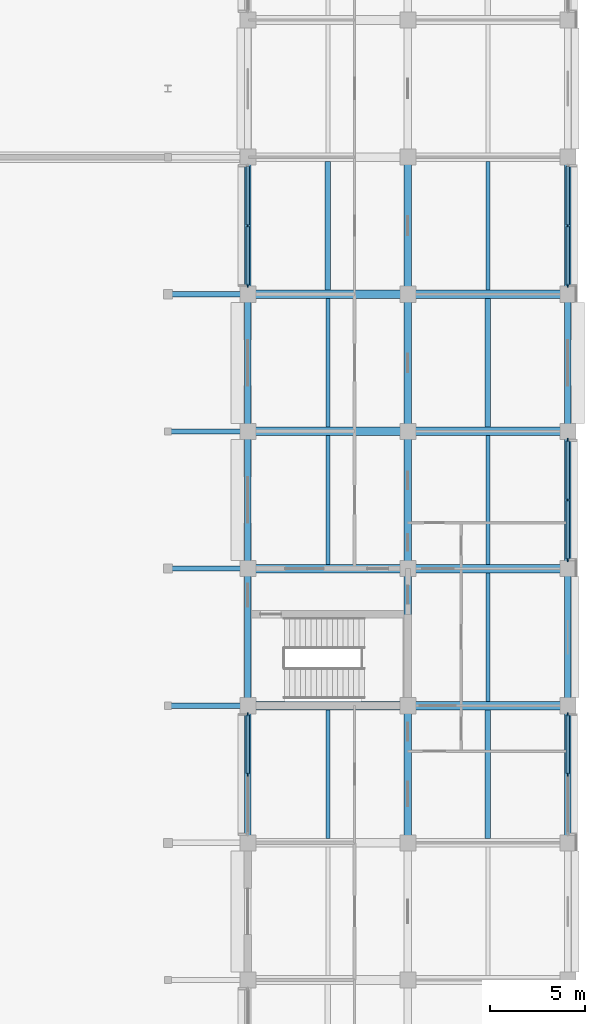
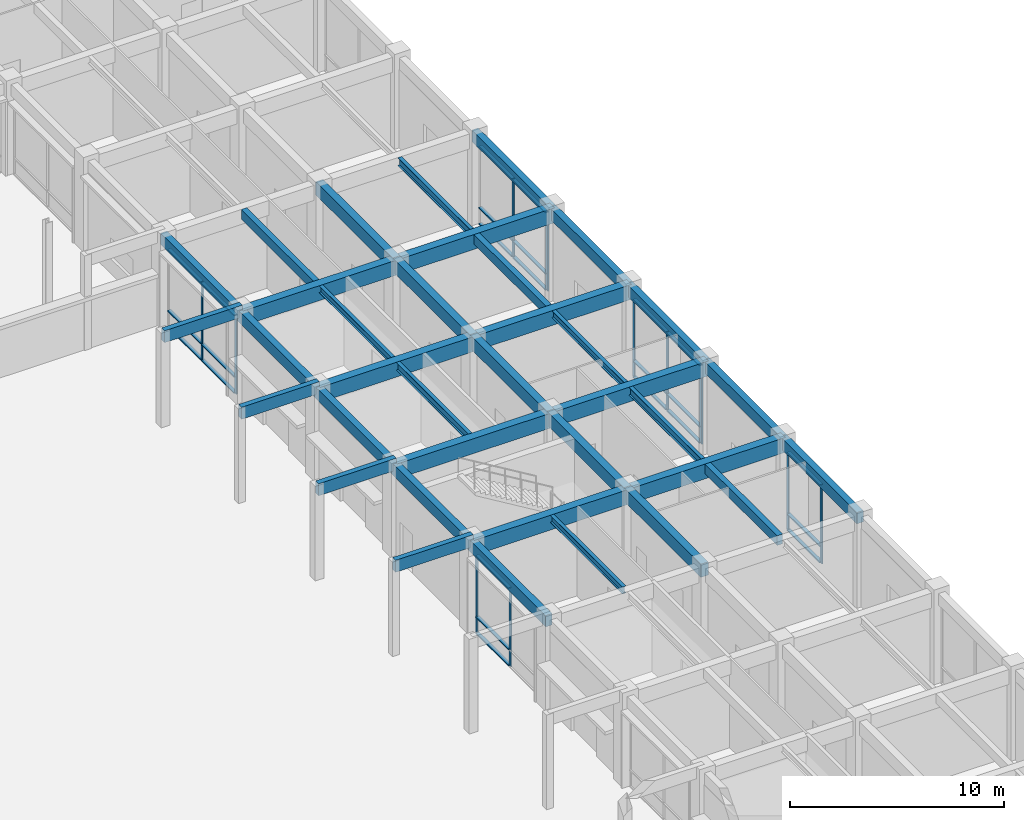
# One storey, part 26 of 73: 36 beams, 35 members, 5 elements without a shape of their own.
"""IFC4 building model written with IfcOpenShell, lengths in metres."""

from ifc_helpers import new_model, si_unit, direction, frame, origin, origin_2d, place, context, subcontext, project, spatial, rectangle, i_section, extrude, material, layer, layer_set, material_profile, profile_set, type_object, element, aggregate, save


model = new_model("IFC4")

# Units and contexts
model_context = context("Model", 3, precision=1e-05, world=origin(), true_north=direction((0.0, 1.0)))
body_context = subcontext(model_context, "Body", "Model", "MODEL_VIEW")
ifc_project = project(units=[si_unit("LENGTHUNIT", "METRE"), si_unit("AREAUNIT", "SQUARE_METRE"), si_unit("VOLUMEUNIT", "CUBIC_METRE"), si_unit("PLANEANGLEUNIT", "RADIAN"), si_unit("MASSUNIT", "GRAM", prefix="KILO")], contexts=[model_context])

# Site, building, storey
site_placement = place(None, origin())
site = spatial("IfcSite", under=ifc_project, at=site_placement, CompositionType="ELEMENT")
building_placement = place(site_placement, origin())
building = spatial("IfcBuilding", under=site, at=building_placement, Name="Chengyuan Square Courthouse", CompositionType="ELEMENT")
storey_placement = place(building_placement, origin())
storey = spatial("IfcBuildingStorey", under=building, at=storey_placement, Name="L01", CompositionType="ELEMENT", Elevation=0.0)

# Beams
ifc_material_1 = material(Name="Concrete C40", Category="concrete")
ifc_material_profile_1 = material_profile(ifc_material_1, rectangle(XDim=0.449951171875, YDim=0.85009765625, at=origin_2d()), Name="RC-BM-450x850")
ifc_profile_set_1 = profile_set([ifc_material_profile_1], Name="Concrete C40")
beam_type_1 = type_object("IfcBeamType", Name="BM-01", PredefinedType="USERDEFINED", material=ifc_profile_set_1)
beam_1_placement = place(storey_placement, frame((151.199951171875, 36.0, 4.695068359375), z_axis=(1.0, 0.0, 0.0), x_axis=(0.0, 1.0, 0.0)))
element("IfcBeam", 1, at=beam_1_placement, inside=storey, type_object=beam_type_1, Name="Girder BM-L01-1663", ObjectType="GIRDER", PredefinedType="USERDEFINED", context=body_context, shape_type="SweptSolid", body=[
    extrude(rectangle(XDim=0.449951171875, YDim=0.85009765625, at=origin_2d()), origin(), (0.0, 0.0, 1.0), 8.400146484375),
])
beam_2_placement = place(storey_placement, frame((159.60009765625, 36.0, 4.695068359375), z_axis=(1.0, 0.0, 0.0), x_axis=(0.0, 1.0, 0.0)))
element("IfcBeam", 2, at=beam_2_placement, inside=storey, type_object=beam_type_1, Name="Girder BM-L01-1664", ObjectType="GIRDER", PredefinedType="USERDEFINED", context=body_context, shape_type="SweptSolid", body=[
    extrude(rectangle(XDim=0.449951171875, YDim=0.85009765625, at=origin_2d()), origin(), (0.0, 0.0, 1.0), 8.39990234375),
])
beam_3_placement = place(storey_placement, frame((151.199951171875, 43.199951171875, 4.695068359375), z_axis=(1.0, 0.0, 0.0), x_axis=(0.0, 1.0, 0.0)))
element("IfcBeam", 3, at=beam_3_placement, inside=storey, type_object=beam_type_1, Name="Girder BM-L01-1667", ObjectType="GIRDER", PredefinedType="USERDEFINED", context=body_context, shape_type="SweptSolid", body=[
    extrude(rectangle(XDim=0.449951171875, YDim=0.85009765625, at=origin_2d()), origin(), (0.0, 0.0, 1.0), 8.400146484375),
])
beam_4_placement = place(storey_placement, frame((159.60009765625, 43.199951171875, 4.695068359375), z_axis=(1.0, 0.0, 0.0), x_axis=(0.0, 1.0, 0.0)))
element("IfcBeam", 4, at=beam_4_placement, inside=storey, type_object=beam_type_1, Name="Girder BM-L01-1668", ObjectType="GIRDER", PredefinedType="USERDEFINED", context=body_context, shape_type="SweptSolid", body=[
    extrude(rectangle(XDim=0.449951171875, YDim=0.85009765625, at=origin_2d()), origin(), (0.0, 0.0, 1.0), 8.39990234375),
])
beam_5_placement = place(storey_placement, frame((151.199951171875, 50.39990234375, 4.695068359375), z_axis=(1.0, 0.0, 0.0), x_axis=(0.0, 1.0, 0.0)))
element("IfcBeam", 5, at=beam_5_placement, inside=storey, type_object=beam_type_1, Name="Girder BM-L01-1671", ObjectType="GIRDER", PredefinedType="USERDEFINED", context=body_context, shape_type="SweptSolid", body=[
    extrude(rectangle(XDim=0.449951171875, YDim=0.85009765625, at=origin_2d()), origin(), (0.0, 0.0, 1.0), 8.400146484375),
])
beam_6_placement = place(storey_placement, frame((159.60009765625, 50.39990234375, 4.695068359375), z_axis=(1.0, 0.0, 0.0), x_axis=(0.0, 1.0, 0.0)))
element("IfcBeam", 6, at=beam_6_placement, inside=storey, type_object=beam_type_1, Name="Girder BM-L01-1672", ObjectType="GIRDER", PredefinedType="USERDEFINED", context=body_context, shape_type="SweptSolid", body=[
    extrude(rectangle(XDim=0.449951171875, YDim=0.85009765625, at=origin_2d()), origin(), (0.0, 0.0, 1.0), 8.39990234375),
])
beam_7_placement = place(storey_placement, frame((151.199951171875, 57.60009765625, 4.695068359375), z_axis=(1.0, 0.0, 0.0), x_axis=(0.0, 1.0, 0.0)))
element("IfcBeam", 7, at=beam_7_placement, inside=storey, type_object=beam_type_1, Name="Girder BM-L01-1675", ObjectType="GIRDER", PredefinedType="USERDEFINED", context=body_context, shape_type="SweptSolid", body=[
    extrude(rectangle(XDim=0.449951171875, YDim=0.85009765625, at=origin_2d()), origin(), (0.0, 0.0, 1.0), 8.400146484375),
])
beam_8_placement = place(storey_placement, frame((159.60009765625, 57.60009765625, 4.695068359375), z_axis=(1.0, 0.0, 0.0), x_axis=(0.0, 1.0, 0.0)))
element("IfcBeam", 8, at=beam_8_placement, inside=storey, type_object=beam_type_1, Name="Girder BM-L01-1676", ObjectType="GIRDER", PredefinedType="USERDEFINED", context=body_context, shape_type="SweptSolid", body=[
    extrude(rectangle(XDim=0.449951171875, YDim=0.85009765625, at=origin_2d()), origin(), (0.0, 0.0, 1.0), 8.39990234375),
])
ifc_material_profile_2 = material_profile(ifc_material_1, rectangle(XDim=0.39990234375, YDim=0.75, at=origin_2d()), Name="RC-BM-400x750")
ifc_profile_set_2 = profile_set([ifc_material_profile_2], Name="Concrete C40")
beam_type_2 = type_object("IfcBeamType", Name="BM-02", PredefinedType="USERDEFINED", material=ifc_profile_set_2)
for number, where, z_axis, x_axis, name in (
    (9, (159.60009765625, 28.800048828125, 4.7451171875), (0.0, 1.0, 0.0), (-1.0, 0.0, 0.0), "Girder BM-L01-1931"),
    (10, (159.60009765625, 36.0, 4.7451171875), (0.0, 1.0, 0.0), (-1.0, 0.0, 0.0), "Girder BM-L01-1932"),
    (11, (159.60009765625, 43.199951171875, 4.7451171875), (0.0, 1.0, 0.0), (-1.0, 0.0, 0.0), "Girder BM-L01-1933"),
):
    element("IfcBeam", number, at=place(storey_placement, frame(where, z_axis=z_axis, x_axis=x_axis)), inside=storey, type_object=beam_type_2, Name=name, ObjectType="GIRDER", PredefinedType="USERDEFINED", context=body_context, shape_type="SweptSolid", body=[
        extrude(rectangle(XDim=0.39990234375, YDim=0.75, at=origin_2d()), origin(), (0.0, 0.0, 1.0), 7.199951171875),
    ])
beam_9_placement = place(storey_placement, frame((159.60009765625, 50.39990234375, 4.7451171875), z_axis=(0.0, 1.0, 0.0), x_axis=(-1.0, 0.0, 0.0)))
element("IfcBeam", 12, at=beam_9_placement, inside=storey, type_object=beam_type_2, Name="Girder BM-L01-1934", ObjectType="GIRDER", PredefinedType="USERDEFINED", context=body_context, shape_type="SweptSolid", body=[
    extrude(rectangle(XDim=0.39990234375, YDim=0.75, at=origin_2d()), origin(), (0.0, 0.0, 1.0), 7.2001953125),
])
beam_10_placement = place(storey_placement, frame((159.60009765625, 57.60009765625, 4.7451171875), z_axis=(0.0, 1.0, 0.0), x_axis=(-1.0, 0.0, 0.0)))
element("IfcBeam", 13, at=beam_10_placement, inside=storey, type_object=beam_type_2, Name="Girder BM-L01-1935", ObjectType="GIRDER", PredefinedType="USERDEFINED", context=body_context, shape_type="SweptSolid", body=[
    extrude(rectangle(XDim=0.39990234375, YDim=0.75, at=origin_2d()), origin(), (0.0, 0.0, 1.0), 7.199951171875),
])
ifc_material_profile_3 = material_profile(ifc_material_1, rectangle(XDim=0.35009765625, YDim=0.64990234375, at=origin_2d()), Name="RC-BM-350x650")
ifc_profile_set_3 = profile_set([ifc_material_profile_3], Name="Concrete C40")
beam_type_3 = type_object("IfcBeamType", Name="BM-03", PredefinedType="SPANDREL", material=ifc_profile_set_3)
for number, where, z_axis, x_axis, name in (
    (14, (151.199951171875, 28.800048828125, 4.794921875), (0.0, 1.0, 0.0), (-1.0, 0.0, 0.0), "Girder BM-L01-1916"),
    (15, (151.199951171875, 36.0, 4.794921875), (0.0, 1.0, 0.0), (-1.0, 0.0, 0.0), "Girder BM-L01-1917"),
    (16, (151.199951171875, 43.199951171875, 4.794921875), (0.0, 1.0, 0.0), (-1.0, 0.0, 0.0), "Girder BM-L01-1918"),
):
    element("IfcBeam", number, at=place(storey_placement, frame(where, z_axis=z_axis, x_axis=x_axis)), inside=storey, type_object=beam_type_3, Name=name, PredefinedType="SPANDREL", context=body_context, shape_type="SweptSolid", body=[
        extrude(rectangle(XDim=0.35009765625, YDim=0.64990234375, at=origin_2d()), origin(), (0.0, 0.0, 1.0), 7.199951171875),
    ])
beam_11_placement = place(storey_placement, frame((151.199951171875, 50.39990234375, 4.794921875), z_axis=(0.0, 1.0, 0.0), x_axis=(-1.0, 0.0, 0.0)))
element("IfcBeam", 17, at=beam_11_placement, inside=storey, type_object=beam_type_3, Name="Girder BM-L01-1919", PredefinedType="SPANDREL", context=body_context, shape_type="SweptSolid", body=[
    extrude(rectangle(XDim=0.35009765625, YDim=0.64990234375, at=origin_2d()), origin(), (0.0, 0.0, 1.0), 7.2001953125),
])
for number, where, z_axis, x_axis, name in (
    (18, (151.199951171875, 57.60009765625, 4.794921875), (0.0, 1.0, 0.0), (-1.0, 0.0, 0.0), "Girder BM-L01-1920"),
    (19, (168.0, 28.800048828125, 4.794921875), (0.0, 1.0, 0.0), (-1.0, 0.0, 0.0), "Girder BM-L01-1946"),
    (20, (168.0, 36.0, 4.794921875), (0.0, 1.0, 0.0), (-1.0, 0.0, 0.0), "Girder BM-L01-1947"),
    (21, (168.0, 43.199951171875, 4.794921875), (0.0, 1.0, 0.0), (-1.0, 0.0, 0.0), "Girder BM-L01-1948"),
):
    element("IfcBeam", number, at=place(storey_placement, frame(where, z_axis=z_axis, x_axis=x_axis)), inside=storey, type_object=beam_type_3, Name=name, PredefinedType="SPANDREL", context=body_context, shape_type="SweptSolid", body=[
        extrude(rectangle(XDim=0.35009765625, YDim=0.64990234375, at=origin_2d()), origin(), (0.0, 0.0, 1.0), 7.199951171875),
    ])
beam_12_placement = place(storey_placement, frame((168.0, 50.39990234375, 4.794921875), z_axis=(0.0, 1.0, 0.0), x_axis=(-1.0, 0.0, 0.0)))
element("IfcBeam", 22, at=beam_12_placement, inside=storey, type_object=beam_type_3, Name="Girder BM-L01-1949", PredefinedType="SPANDREL", context=body_context, shape_type="SweptSolid", body=[
    extrude(rectangle(XDim=0.35009765625, YDim=0.64990234375, at=origin_2d()), origin(), (0.0, 0.0, 1.0), 7.2001953125),
])
beam_13_placement = place(storey_placement, frame((168.0, 57.60009765625, 4.794921875), z_axis=(0.0, 1.0, 0.0), x_axis=(-1.0, 0.0, 0.0)))
element("IfcBeam", 23, at=beam_13_placement, inside=storey, type_object=beam_type_3, Name="Girder BM-L01-1950", PredefinedType="SPANDREL", context=body_context, shape_type="SweptSolid", body=[
    extrude(rectangle(XDim=0.35009765625, YDim=0.64990234375, at=origin_2d()), origin(), (0.0, 0.0, 1.0), 7.199951171875),
])
ifc_material_profile_4 = material_profile(ifc_material_1, rectangle(XDim=0.300048828125, YDim=0.550048828125, at=origin_2d()), Name="RC-BM-300x550")
ifc_profile_set_4 = profile_set([ifc_material_profile_4], Name="Concrete C40")
beam_type_4 = type_object("IfcBeamType", Name="BM-04", PredefinedType="BEAM", material=ifc_profile_set_4)
for number, where, z_axis, x_axis, name in (
    (24, (155.39990234375, 57.824951171875, 4.844970703125), (0.0, 1.0, 0.0), (-1.0, 0.0, 0.0), "Secondary Floor Beam SBM-L01-2049"),
    (25, (163.800048828125, 29.02490234375, 4.844970703125), (0.0, 1.0, 0.0), (-1.0, 0.0, 0.0), "Secondary Floor Beam SBM-L01-2060"),
    (26, (163.800048828125, 50.625, 4.844970703125), (0.0, 1.0, 0.0), (-1.0, 0.0, 0.0), "Secondary Floor Beam SBM-L01-2063"),
):
    element("IfcBeam", number, at=place(storey_placement, frame(where, z_axis=z_axis, x_axis=x_axis)), inside=storey, type_object=beam_type_4, Name=name, PredefinedType="BEAM", context=body_context, shape_type="SweptSolid", body=[
        extrude(rectangle(XDim=0.300048828125, YDim=0.550048828125, at=origin_2d()), origin(), (0.0, 0.0, 1.0), 6.75),
    ])
ifc_material_2 = material(Name="Steel Q355B", Category="steel")
ifc_material_profile_5 = material_profile(ifc_material_2, i_section(OverallWidth=0.199951171875, OverallDepth=0.449951171875, WebThickness=0.009033203125, FlangeThickness=0.013916015625, at=origin_2d()), Name="HN 450x200x9x14")
ifc_profile_set_5 = profile_set([ifc_material_profile_5], Name="Steel Q355B")
beam_type_5 = type_object("IfcBeamType", Name="BM-06", PredefinedType="BEAM", material=ifc_profile_set_5)
for number, where, z_axis, x_axis, name in (
    (27, (155.39990234375, 43.425048828125, 4.89501953125), (0.0, 1.0, 0.0), (-1.0, 0.0, 0.0), "Secondary Floor Beam SBM-L01-2047"),
    (28, (163.800048828125, 36.22509765625, 4.89501953125), (0.0, 1.0, 0.0), (-1.0, 0.0, 0.0), "Secondary Floor Beam SBM-L01-2061"),
    (29, (163.800048828125, 57.824951171875, 4.89501953125), (0.0, 1.0, 0.0), (-1.0, 0.0, 0.0), "Secondary Floor Beam SBM-L01-2064"),
):
    element("IfcBeam", number, at=place(storey_placement, frame(where, z_axis=z_axis, x_axis=x_axis)), inside=storey, type_object=beam_type_5, Name=name, PredefinedType="BEAM", context=body_context, shape_type="SweptSolid", body=[
        extrude(i_section(OverallWidth=0.199951171875, OverallDepth=0.449951171875, WebThickness=0.009033203125, FlangeThickness=0.013916015625, at=origin_2d()), origin(), (0.0, 0.0, 1.0), 6.75),
    ])
ifc_material_profile_6 = material_profile(ifc_material_2, i_section(OverallWidth=0.199951171875, OverallDepth=0.39990234375, WebThickness=0.008056640625, FlangeThickness=0.012939453125, at=origin_2d()), Name="HN 400x200x8x13")
ifc_profile_set_6 = profile_set([ifc_material_profile_6], Name="Steel Q355B")
beam_type_6 = type_object("IfcBeamType", Name="BM-07", PredefinedType="BEAM", material=ifc_profile_set_6)
for number, where, z_axis, x_axis, name in (
    (30, (155.39990234375, 29.02490234375, 4.919921875), (0.0, 1.0, 0.0), (-1.0, 0.0, 0.0), "Secondary Floor Beam SBM-L01-2046"),
    (31, (155.39990234375, 50.625, 4.919921875), (0.0, 1.0, 0.0), (-1.0, 0.0, 0.0), "Secondary Floor Beam SBM-L01-2048"),
    (32, (163.800048828125, 43.425048828125, 4.919921875), (0.0, 1.0, 0.0), (-1.0, 0.0, 0.0), "Secondary Floor Beam SBM-L01-2062"),
):
    element("IfcBeam", number, at=place(storey_placement, frame(where, z_axis=z_axis, x_axis=x_axis)), inside=storey, type_object=beam_type_6, Name=name, PredefinedType="BEAM", context=body_context, shape_type="SweptSolid", body=[
        extrude(i_section(OverallWidth=0.199951171875, OverallDepth=0.39990234375, WebThickness=0.008056640625, FlangeThickness=0.012939453125, at=origin_2d()), origin(), (0.0, 0.0, 1.0), 6.75),
    ])

# Curtain wall, members
ifc_material_3 = material(Name="Unitised Aluminium and Triple Low-E Glass", Category="aluminium")
ifc_layer = layer(ifc_material_3, 0.179931640625)
ifc_layer_set = layer_set([ifc_layer], Name="Unitised Aluminium and Triple Low-E Glass")
curtain_wall_type = type_object("IfcCurtainWallType", Name="CW-14", PredefinedType="USERDEFINED", material=ifc_layer_set)
curtain_wall_1_placement = place(storey_placement, origin())
curtain_wall_1 = element("IfcCurtainWall", 33, at=curtain_wall_1_placement, inside=storey, type_object=curtain_wall_type, Name="Unitised Curtain Wall CW-L01-031", ObjectType="UNITISED CURTAIN WALL", PredefinedType="USERDEFINED")
ifc_material_4 = material(Name="Aluminium 6063-T6 Frame", Category="aluminium")
ifc_material_profile_7 = material_profile(ifc_material_4, rectangle(XDim=0.06494140625, YDim=0.179931640625, at=origin_2d()), Name="CW-MUL-65x180")
ifc_profile_set_7 = profile_set([ifc_material_profile_7], Name="Aluminium 6063-T6 Frame")
member_type_1 = type_object("IfcMemberType", Name="CWM-02", PredefinedType="MULLION", material=ifc_profile_set_7)
member_1_placement = place(storey_placement, frame((151.199951171875, 32.39990234375, 0.0), z_axis=(0.0, 0.0, 1.0), x_axis=(-1.0, 0.0, 0.0)))
member_1 = element("IfcMember", 34, at=member_1_placement, type_object=member_type_1, Name="CW-14 mullion 2", PredefinedType="MULLION", context=body_context, shape_type="SweptSolid", body=[
    extrude(rectangle(XDim=0.06494140625, YDim=0.179931640625, at=origin_2d()), origin(), (0.0, 0.0, 1.0), 4.469970703125),
])
member_2_placement = place(storey_placement, frame((151.199951171875, 35.54248046875, 0.0), z_axis=(0.0, 0.0, 1.0), x_axis=(-1.0, 0.0, 0.0)))
member_2 = element("IfcMember", 35, at=member_2_placement, type_object=member_type_1, Name="CW-14 mullion 3", PredefinedType="MULLION", context=body_context, shape_type="SweptSolid", body=[
    extrude(rectangle(XDim=0.06494140625, YDim=0.179931640625, at=origin_2d()), origin(), (0.0, 0.0, 1.0), 4.469970703125),
])

curtain_wall_2_placement = place(storey_placement, origin())
curtain_wall_2 = element("IfcCurtainWall", 36, at=curtain_wall_2_placement, inside=storey, type_object=curtain_wall_type, Name="Unitised Curtain Wall CW-L01-032", ObjectType="UNITISED CURTAIN WALL", PredefinedType="USERDEFINED")
member_3_placement = place(storey_placement, frame((151.199951171875, 58.0576171875, 0.0), z_axis=(0.0, 0.0, 1.0), x_axis=(-1.0, 0.0, 0.0)))
member_3 = element("IfcMember", 37, at=member_3_placement, type_object=member_type_1, Name="CW-14 mullion 1", PredefinedType="MULLION", context=body_context, shape_type="SweptSolid", body=[
    extrude(rectangle(XDim=0.06494140625, YDim=0.179931640625, at=origin_2d()), origin(), (0.0, 0.0, 1.0), 4.469970703125),
])
member_4_placement = place(storey_placement, frame((151.199951171875, 61.199951171875, 0.0), z_axis=(0.0, 0.0, 1.0), x_axis=(-1.0, 0.0, 0.0)))
member_4 = element("IfcMember", 38, at=member_4_placement, type_object=member_type_1, Name="CW-14 mullion 2", PredefinedType="MULLION", context=body_context, shape_type="SweptSolid", body=[
    extrude(rectangle(XDim=0.06494140625, YDim=0.179931640625, at=origin_2d()), origin(), (0.0, 0.0, 1.0), 4.469970703125),
])

curtain_wall_3_placement = place(storey_placement, origin())
curtain_wall_3 = element("IfcCurtainWall", 39, at=curtain_wall_3_placement, inside=storey, type_object=curtain_wall_type, Name="Unitised Curtain Wall CW-L01-038", ObjectType="UNITISED CURTAIN WALL", PredefinedType="USERDEFINED")
member_5_placement = place(storey_placement, frame((168.0, 32.39990234375, 0.0), z_axis=(0.0, 0.0, 1.0), x_axis=(-1.0, 0.0, 0.0)))
member_5 = element("IfcMember", 40, at=member_5_placement, type_object=member_type_1, Name="CW-14 mullion 2", PredefinedType="MULLION", context=body_context, shape_type="SweptSolid", body=[
    extrude(rectangle(XDim=0.06494140625, YDim=0.179931640625, at=origin_2d()), origin(), (0.0, 0.0, 1.0), 4.469970703125),
])
member_6_placement = place(storey_placement, frame((168.0, 35.54248046875, 0.0), z_axis=(0.0, 0.0, 1.0), x_axis=(-1.0, 0.0, 0.0)))
member_6 = element("IfcMember", 41, at=member_6_placement, type_object=member_type_1, Name="CW-14 mullion 3", PredefinedType="MULLION", context=body_context, shape_type="SweptSolid", body=[
    extrude(rectangle(XDim=0.06494140625, YDim=0.179931640625, at=origin_2d()), origin(), (0.0, 0.0, 1.0), 4.469970703125),
])

curtain_wall_4_placement = place(storey_placement, origin())
curtain_wall_4 = element("IfcCurtainWall", 42, at=curtain_wall_4_placement, inside=storey, type_object=curtain_wall_type, Name="Unitised Curtain Wall CW-L01-039", ObjectType="UNITISED CURTAIN WALL", PredefinedType="USERDEFINED")
member_7_placement = place(storey_placement, frame((168.0, 43.657470703125, 0.0), z_axis=(0.0, 0.0, 1.0), x_axis=(-1.0, 0.0, 0.0)))
member_7 = element("IfcMember", 43, at=member_7_placement, type_object=member_type_1, Name="CW-14 mullion 1", PredefinedType="MULLION", context=body_context, shape_type="SweptSolid", body=[
    extrude(rectangle(XDim=0.06494140625, YDim=0.179931640625, at=origin_2d()), origin(), (0.0, 0.0, 1.0), 4.469970703125),
])
member_8_placement = place(storey_placement, frame((168.0, 46.800048828125, 0.0), z_axis=(0.0, 0.0, 1.0), x_axis=(-1.0, 0.0, 0.0)))
member_8 = element("IfcMember", 44, at=member_8_placement, type_object=member_type_1, Name="CW-14 mullion 2", PredefinedType="MULLION", context=body_context, shape_type="SweptSolid", body=[
    extrude(rectangle(XDim=0.06494140625, YDim=0.179931640625, at=origin_2d()), origin(), (0.0, 0.0, 1.0), 4.469970703125),
])
member_9_placement = place(storey_placement, frame((168.0, 49.9423828125, 0.0), z_axis=(0.0, 0.0, 1.0), x_axis=(-1.0, 0.0, 0.0)))
member_9 = element("IfcMember", 45, at=member_9_placement, type_object=member_type_1, Name="CW-14 mullion 3", PredefinedType="MULLION", context=body_context, shape_type="SweptSolid", body=[
    extrude(rectangle(XDim=0.06494140625, YDim=0.179931640625, at=origin_2d()), origin(), (0.0, 0.0, 1.0), 4.469970703125),
])

curtain_wall_5_placement = place(storey_placement, origin())
curtain_wall_5 = element("IfcCurtainWall", 46, at=curtain_wall_5_placement, inside=storey, type_object=curtain_wall_type, Name="Unitised Curtain Wall CW-L01-040", ObjectType="UNITISED CURTAIN WALL", PredefinedType="USERDEFINED")
member_10_placement = place(storey_placement, frame((168.0, 58.0576171875, 0.0), z_axis=(0.0, 0.0, 1.0), x_axis=(-1.0, 0.0, 0.0)))
member_10 = element("IfcMember", 47, at=member_10_placement, type_object=member_type_1, Name="CW-14 mullion 1", PredefinedType="MULLION", context=body_context, shape_type="SweptSolid", body=[
    extrude(rectangle(XDim=0.06494140625, YDim=0.179931640625, at=origin_2d()), origin(), (0.0, 0.0, 1.0), 4.469970703125),
])
member_11_placement = place(storey_placement, frame((168.0, 61.199951171875, 0.0), z_axis=(0.0, 0.0, 1.0), x_axis=(-1.0, 0.0, 0.0)))
member_11 = element("IfcMember", 48, at=member_11_placement, type_object=member_type_1, Name="CW-14 mullion 2", PredefinedType="MULLION", context=body_context, shape_type="SweptSolid", body=[
    extrude(rectangle(XDim=0.06494140625, YDim=0.179931640625, at=origin_2d()), origin(), (0.0, 0.0, 1.0), 4.469970703125),
])

# Member
ifc_material_profile_8 = material_profile(ifc_material_4, rectangle(XDim=0.179931640625, YDim=0.06494140625, at=origin_2d()), Name="CW-TRN-65x140")
ifc_profile_set_8 = profile_set([ifc_material_profile_8], Name="Aluminium 6063-T6 Frame")
member_type_2 = type_object("IfcMemberType", Name="CWT-02", PredefinedType="USERDEFINED", material=ifc_profile_set_8)
member_12_placement = place(storey_placement, frame((151.199951171875, 32.4326171875, 0.032470703125), z_axis=(0.0, 1.0, 0.0), x_axis=(-1.0, 0.0, 0.0)))
member_12 = element("IfcMember", 49, at=member_12_placement, type_object=member_type_2, Name="CW-14 transom 2.1", ObjectType="TRANSOM", PredefinedType="USERDEFINED", context=body_context, shape_type="SweptSolid", body=[
    extrude(rectangle(XDim=0.179931640625, YDim=0.06494140625, at=origin_2d()), origin(), (0.0, 0.0, 1.0), 3.077392578125),
])

member_13_placement = place(storey_placement, frame((151.199951171875, 32.4326171875, 0.949951171875), z_axis=(0.0, 1.0, 0.0), x_axis=(-1.0, 0.0, 0.0)))
member_13 = element("IfcMember", 50, at=member_13_placement, type_object=member_type_2, Name="CW-14 transom 2.2", ObjectType="TRANSOM", PredefinedType="USERDEFINED", context=body_context, shape_type="SweptSolid", body=[
    extrude(rectangle(XDim=0.179931640625, YDim=0.06494140625, at=origin_2d()), origin(), (0.0, 0.0, 1.0), 3.077392578125),
])

member_14_placement = place(storey_placement, frame((151.199951171875, 32.4326171875, 4.4375), z_axis=(0.0, 1.0, 0.0), x_axis=(-1.0, 0.0, 0.0)))
member_14 = element("IfcMember", 51, at=member_14_placement, type_object=member_type_2, Name="CW-14 transom 2.3", ObjectType="TRANSOM", PredefinedType="USERDEFINED", context=body_context, shape_type="SweptSolid", body=[
    extrude(rectangle(XDim=0.179931640625, YDim=0.06494140625, at=origin_2d()), origin(), (0.0, 0.0, 1.0), 3.077392578125),
])

aggregate(curtain_wall_1, [member_1, member_2, member_12, member_13, member_14])

member_15_placement = place(storey_placement, frame((151.199951171875, 58.090087890625, 0.032470703125), z_axis=(0.0, 1.0, 0.0), x_axis=(-1.0, 0.0, 0.0)))
member_15 = element("IfcMember", 52, at=member_15_placement, type_object=member_type_2, Name="CW-14 transom 1.1", ObjectType="TRANSOM", PredefinedType="USERDEFINED", context=body_context, shape_type="SweptSolid", body=[
    extrude(rectangle(XDim=0.179931640625, YDim=0.06494140625, at=origin_2d()), origin(), (0.0, 0.0, 1.0), 3.077392578125),
])

member_16_placement = place(storey_placement, frame((151.199951171875, 58.090087890625, 0.949951171875), z_axis=(0.0, 1.0, 0.0), x_axis=(-1.0, 0.0, 0.0)))
member_16 = element("IfcMember", 53, at=member_16_placement, type_object=member_type_2, Name="CW-14 transom 1.2", ObjectType="TRANSOM", PredefinedType="USERDEFINED", context=body_context, shape_type="SweptSolid", body=[
    extrude(rectangle(XDim=0.179931640625, YDim=0.06494140625, at=origin_2d()), origin(), (0.0, 0.0, 1.0), 3.077392578125),
])

member_17_placement = place(storey_placement, frame((151.199951171875, 58.090087890625, 4.4375), z_axis=(0.0, 1.0, 0.0), x_axis=(-1.0, 0.0, 0.0)))
member_17 = element("IfcMember", 54, at=member_17_placement, type_object=member_type_2, Name="CW-14 transom 1.3", ObjectType="TRANSOM", PredefinedType="USERDEFINED", context=body_context, shape_type="SweptSolid", body=[
    extrude(rectangle(XDim=0.179931640625, YDim=0.06494140625, at=origin_2d()), origin(), (0.0, 0.0, 1.0), 3.077392578125),
])

member_18_placement = place(storey_placement, frame((151.199951171875, 61.232421875, 0.032470703125), z_axis=(0.0, 1.0, 0.0), x_axis=(-1.0, 0.0, 0.0)))
member_18 = element("IfcMember", 55, at=member_18_placement, type_object=member_type_2, Name="CW-14 transom 2.1", ObjectType="TRANSOM", PredefinedType="USERDEFINED", context=body_context, shape_type="SweptSolid", body=[
    extrude(rectangle(XDim=0.179931640625, YDim=0.06494140625, at=origin_2d()), origin(), (0.0, 0.0, 1.0), 3.07763671875),
])

member_19_placement = place(storey_placement, frame((151.199951171875, 61.232421875, 0.949951171875), z_axis=(0.0, 1.0, 0.0), x_axis=(-1.0, 0.0, 0.0)))
member_19 = element("IfcMember", 56, at=member_19_placement, type_object=member_type_2, Name="CW-14 transom 2.2", ObjectType="TRANSOM", PredefinedType="USERDEFINED", context=body_context, shape_type="SweptSolid", body=[
    extrude(rectangle(XDim=0.179931640625, YDim=0.06494140625, at=origin_2d()), origin(), (0.0, 0.0, 1.0), 3.07763671875),
])

member_20_placement = place(storey_placement, frame((151.199951171875, 61.232421875, 4.4375), z_axis=(0.0, 1.0, 0.0), x_axis=(-1.0, 0.0, 0.0)))
member_20 = element("IfcMember", 57, at=member_20_placement, type_object=member_type_2, Name="CW-14 transom 2.3", ObjectType="TRANSOM", PredefinedType="USERDEFINED", context=body_context, shape_type="SweptSolid", body=[
    extrude(rectangle(XDim=0.179931640625, YDim=0.06494140625, at=origin_2d()), origin(), (0.0, 0.0, 1.0), 3.07763671875),
])

aggregate(curtain_wall_2, [member_3, member_4, member_15, member_16, member_17, member_18, member_19, member_20])

member_21_placement = place(storey_placement, frame((168.0, 32.4326171875, 0.032470703125), z_axis=(0.0, 1.0, 0.0), x_axis=(-1.0, 0.0, 0.0)))
member_21 = element("IfcMember", 58, at=member_21_placement, type_object=member_type_2, Name="CW-14 transom 2.1", ObjectType="TRANSOM", PredefinedType="USERDEFINED", context=body_context, shape_type="SweptSolid", body=[
    extrude(rectangle(XDim=0.179931640625, YDim=0.06494140625, at=origin_2d()), origin(), (0.0, 0.0, 1.0), 3.077392578125),
])

member_22_placement = place(storey_placement, frame((168.0, 32.4326171875, 0.949951171875), z_axis=(0.0, 1.0, 0.0), x_axis=(-1.0, 0.0, 0.0)))
member_22 = element("IfcMember", 59, at=member_22_placement, type_object=member_type_2, Name="CW-14 transom 2.2", ObjectType="TRANSOM", PredefinedType="USERDEFINED", context=body_context, shape_type="SweptSolid", body=[
    extrude(rectangle(XDim=0.179931640625, YDim=0.06494140625, at=origin_2d()), origin(), (0.0, 0.0, 1.0), 3.077392578125),
])

member_23_placement = place(storey_placement, frame((168.0, 32.4326171875, 4.4375), z_axis=(0.0, 1.0, 0.0), x_axis=(-1.0, 0.0, 0.0)))
member_23 = element("IfcMember", 60, at=member_23_placement, type_object=member_type_2, Name="CW-14 transom 2.3", ObjectType="TRANSOM", PredefinedType="USERDEFINED", context=body_context, shape_type="SweptSolid", body=[
    extrude(rectangle(XDim=0.179931640625, YDim=0.06494140625, at=origin_2d()), origin(), (0.0, 0.0, 1.0), 3.077392578125),
])

aggregate(curtain_wall_3, [member_5, member_6, member_21, member_22, member_23])

member_24_placement = place(storey_placement, frame((168.0, 43.68994140625, 0.032470703125), z_axis=(0.0, 1.0, 0.0), x_axis=(-1.0, 0.0, 0.0)))
member_24 = element("IfcMember", 61, at=member_24_placement, type_object=member_type_2, Name="CW-14 transom 1.1", ObjectType="TRANSOM", PredefinedType="USERDEFINED", context=body_context, shape_type="SweptSolid", body=[
    extrude(rectangle(XDim=0.179931640625, YDim=0.06494140625, at=origin_2d()), origin(), (0.0, 0.0, 1.0), 3.07763671875),
])

member_25_placement = place(storey_placement, frame((168.0, 43.68994140625, 0.949951171875), z_axis=(0.0, 1.0, 0.0), x_axis=(-1.0, 0.0, 0.0)))
member_25 = element("IfcMember", 62, at=member_25_placement, type_object=member_type_2, Name="CW-14 transom 1.2", ObjectType="TRANSOM", PredefinedType="USERDEFINED", context=body_context, shape_type="SweptSolid", body=[
    extrude(rectangle(XDim=0.179931640625, YDim=0.06494140625, at=origin_2d()), origin(), (0.0, 0.0, 1.0), 3.07763671875),
])

member_26_placement = place(storey_placement, frame((168.0, 43.68994140625, 4.4375), z_axis=(0.0, 1.0, 0.0), x_axis=(-1.0, 0.0, 0.0)))
member_26 = element("IfcMember", 63, at=member_26_placement, type_object=member_type_2, Name="CW-14 transom 1.3", ObjectType="TRANSOM", PredefinedType="USERDEFINED", context=body_context, shape_type="SweptSolid", body=[
    extrude(rectangle(XDim=0.179931640625, YDim=0.06494140625, at=origin_2d()), origin(), (0.0, 0.0, 1.0), 3.07763671875),
])

member_27_placement = place(storey_placement, frame((168.0, 46.83251953125, 0.032470703125), z_axis=(0.0, 1.0, 0.0), x_axis=(-1.0, 0.0, 0.0)))
member_27 = element("IfcMember", 64, at=member_27_placement, type_object=member_type_2, Name="CW-14 transom 2.1", ObjectType="TRANSOM", PredefinedType="USERDEFINED", context=body_context, shape_type="SweptSolid", body=[
    extrude(rectangle(XDim=0.179931640625, YDim=0.06494140625, at=origin_2d()), origin(), (0.0, 0.0, 1.0), 3.077392578125),
])

member_28_placement = place(storey_placement, frame((168.0, 46.83251953125, 0.949951171875), z_axis=(0.0, 1.0, 0.0), x_axis=(-1.0, 0.0, 0.0)))
member_28 = element("IfcMember", 65, at=member_28_placement, type_object=member_type_2, Name="CW-14 transom 2.2", ObjectType="TRANSOM", PredefinedType="USERDEFINED", context=body_context, shape_type="SweptSolid", body=[
    extrude(rectangle(XDim=0.179931640625, YDim=0.06494140625, at=origin_2d()), origin(), (0.0, 0.0, 1.0), 3.077392578125),
])

member_29_placement = place(storey_placement, frame((168.0, 46.83251953125, 4.4375), z_axis=(0.0, 1.0, 0.0), x_axis=(-1.0, 0.0, 0.0)))
member_29 = element("IfcMember", 66, at=member_29_placement, type_object=member_type_2, Name="CW-14 transom 2.3", ObjectType="TRANSOM", PredefinedType="USERDEFINED", context=body_context, shape_type="SweptSolid", body=[
    extrude(rectangle(XDim=0.179931640625, YDim=0.06494140625, at=origin_2d()), origin(), (0.0, 0.0, 1.0), 3.077392578125),
])

aggregate(curtain_wall_4, [member_7, member_8, member_9, member_24, member_25, member_26, member_27, member_28, member_29])

member_30_placement = place(storey_placement, frame((168.0, 58.090087890625, 0.032470703125), z_axis=(0.0, 1.0, 0.0), x_axis=(-1.0, 0.0, 0.0)))
member_30 = element("IfcMember", 67, at=member_30_placement, type_object=member_type_2, Name="CW-14 transom 1.1", ObjectType="TRANSOM", PredefinedType="USERDEFINED", context=body_context, shape_type="SweptSolid", body=[
    extrude(rectangle(XDim=0.179931640625, YDim=0.06494140625, at=origin_2d()), origin(), (0.0, 0.0, 1.0), 3.077392578125),
])

member_31_placement = place(storey_placement, frame((168.0, 58.090087890625, 0.949951171875), z_axis=(0.0, 1.0, 0.0), x_axis=(-1.0, 0.0, 0.0)))
member_31 = element("IfcMember", 68, at=member_31_placement, type_object=member_type_2, Name="CW-14 transom 1.2", ObjectType="TRANSOM", PredefinedType="USERDEFINED", context=body_context, shape_type="SweptSolid", body=[
    extrude(rectangle(XDim=0.179931640625, YDim=0.06494140625, at=origin_2d()), origin(), (0.0, 0.0, 1.0), 3.077392578125),
])

member_32_placement = place(storey_placement, frame((168.0, 58.090087890625, 4.4375), z_axis=(0.0, 1.0, 0.0), x_axis=(-1.0, 0.0, 0.0)))
member_32 = element("IfcMember", 69, at=member_32_placement, type_object=member_type_2, Name="CW-14 transom 1.3", ObjectType="TRANSOM", PredefinedType="USERDEFINED", context=body_context, shape_type="SweptSolid", body=[
    extrude(rectangle(XDim=0.179931640625, YDim=0.06494140625, at=origin_2d()), origin(), (0.0, 0.0, 1.0), 3.077392578125),
])

member_33_placement = place(storey_placement, frame((168.0, 61.232421875, 0.032470703125), z_axis=(0.0, 1.0, 0.0), x_axis=(-1.0, 0.0, 0.0)))
member_33 = element("IfcMember", 70, at=member_33_placement, type_object=member_type_2, Name="CW-14 transom 2.1", ObjectType="TRANSOM", PredefinedType="USERDEFINED", context=body_context, shape_type="SweptSolid", body=[
    extrude(rectangle(XDim=0.179931640625, YDim=0.06494140625, at=origin_2d()), origin(), (0.0, 0.0, 1.0), 3.07763671875),
])

member_34_placement = place(storey_placement, frame((168.0, 61.232421875, 0.949951171875), z_axis=(0.0, 1.0, 0.0), x_axis=(-1.0, 0.0, 0.0)))
member_34 = element("IfcMember", 71, at=member_34_placement, type_object=member_type_2, Name="CW-14 transom 2.2", ObjectType="TRANSOM", PredefinedType="USERDEFINED", context=body_context, shape_type="SweptSolid", body=[
    extrude(rectangle(XDim=0.179931640625, YDim=0.06494140625, at=origin_2d()), origin(), (0.0, 0.0, 1.0), 3.07763671875),
])

member_35_placement = place(storey_placement, frame((168.0, 61.232421875, 4.4375), z_axis=(0.0, 1.0, 0.0), x_axis=(-1.0, 0.0, 0.0)))
member_35 = element("IfcMember", 72, at=member_35_placement, type_object=member_type_2, Name="CW-14 transom 2.3", ObjectType="TRANSOM", PredefinedType="USERDEFINED", context=body_context, shape_type="SweptSolid", body=[
    extrude(rectangle(XDim=0.179931640625, YDim=0.06494140625, at=origin_2d()), origin(), (0.0, 0.0, 1.0), 3.07763671875),
])

aggregate(curtain_wall_5, [member_10, member_11, member_30, member_31, member_32, member_33, member_34, member_35])

# Beams
ifc_material_5 = material(Name="Glulam TCt28", Category="wood")
ifc_material_profile_9 = material_profile(ifc_material_5, rectangle(XDim=0.280029296875, YDim=0.679931640625, at=origin_2d()), Name="GL-BM-280x680")
ifc_profile_set_9 = profile_set([ifc_material_profile_9], Name="Glulam TCt28")
beam_type_7 = type_object("IfcBeamType", Name="GLB-01", PredefinedType="BEAM", material=ifc_profile_set_9)
for number, where, z_axis, x_axis, name in (
    (73, (151.199951171875, 36.0, 5.06005859375), (-1.0, 0.0, 0.0), (0.0, -1.0, 0.0), "Glulam Colonnade Portal Beam GLB-L01-012"),
    (74, (151.199951171875, 43.199951171875, 5.06005859375), (-1.0, 0.0, 0.0), (0.0, -1.0, 0.0), "Glulam Colonnade Portal Beam GLB-L01-014"),
    (75, (151.199951171875, 50.39990234375, 5.06005859375), (-1.0, 0.0, 0.0), (0.0, -1.0, 0.0), "Glulam Colonnade Portal Beam GLB-L01-016"),
    (76, (151.199951171875, 57.60009765625, 5.06005859375), (-1.0, 0.0, 0.0), (0.0, -1.0, 0.0), "Glulam Colonnade Portal Beam GLB-L01-018"),
):
    element("IfcBeam", number, at=place(storey_placement, frame(where, z_axis=z_axis, x_axis=x_axis)), inside=storey, type_object=beam_type_7, Name=name, PredefinedType="BEAM", context=body_context, shape_type="SweptSolid", body=[
        extrude(rectangle(XDim=0.280029296875, YDim=0.679931640625, at=origin_2d()), origin(), (0.0, 0.0, 1.0), 4.199951171875),
    ])

save(model, "model.ifc")
